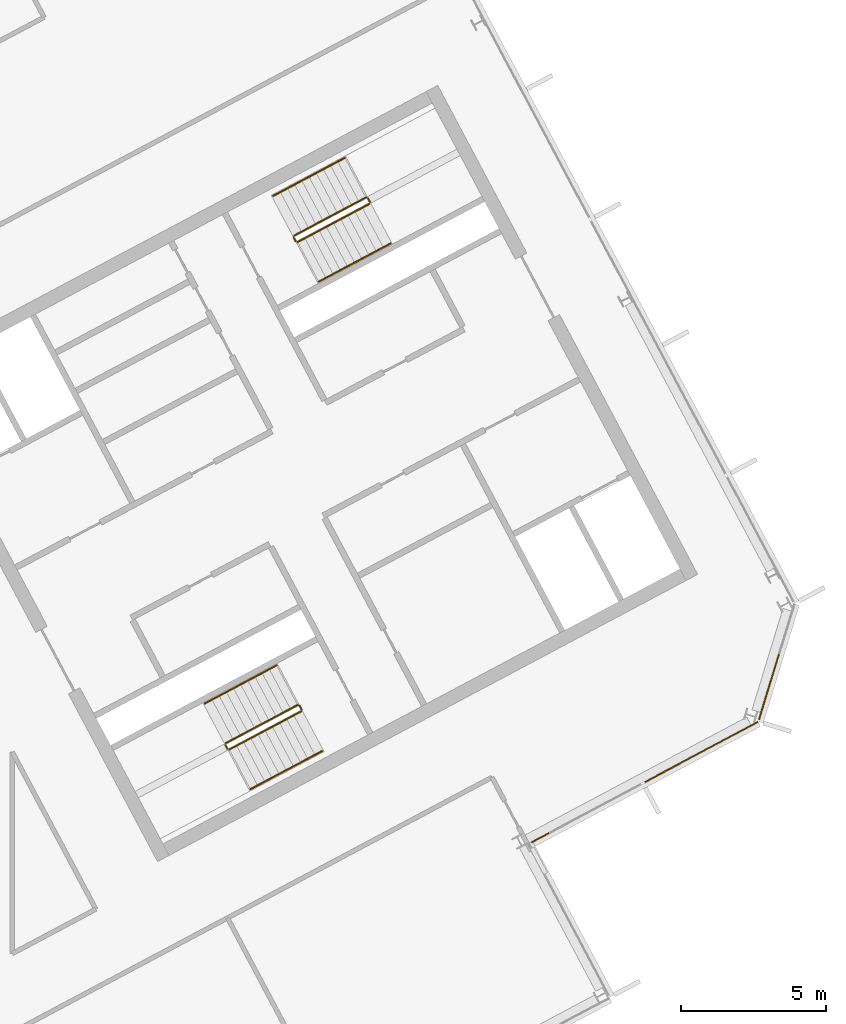
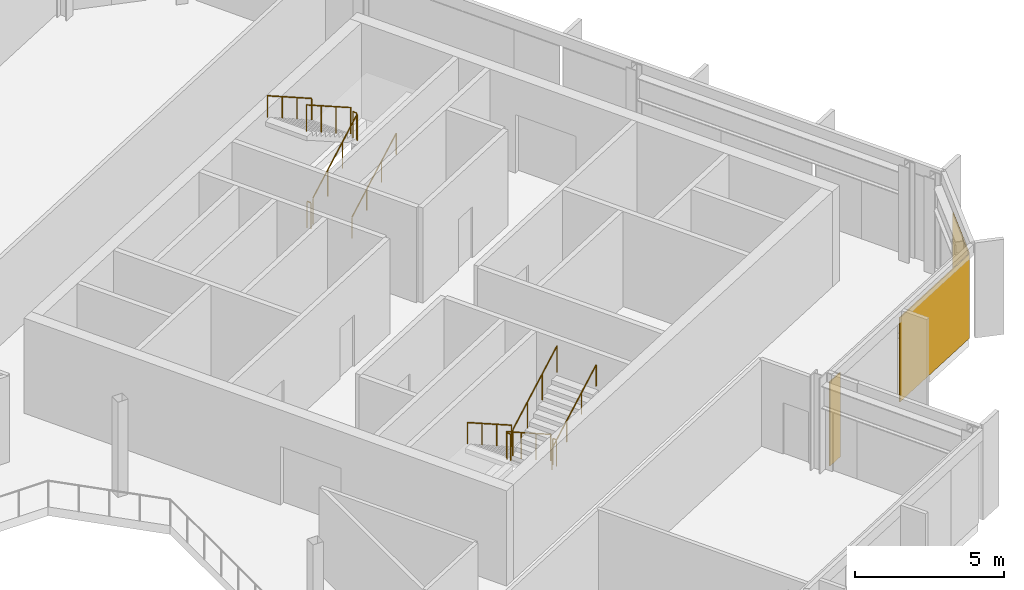
# One storey, part 25 of 26: 12 railings, 3 coverings, 2 elements without a shape of their own.
"""IFC4 building model written with IfcOpenShell, lengths in metres."""

from ifc_helpers import new_model, si_unit, direction, frame, origin, origin_2d, place, context, subcontext, project, spatial, polyline, rectangle, outline, extrude, material, layer, layer_set, type_object, element, aggregate, save


model = new_model("IFC4")

# Units and contexts
model_context = context("Model", 3, precision=1e-05, world=origin(), true_north=direction((0.0, 1.0)))
body_context = subcontext(model_context, "Body", "Model", "MODEL_VIEW")
ifc_project = project(units=[si_unit("LENGTHUNIT", "METRE"), si_unit("AREAUNIT", "SQUARE_METRE"), si_unit("VOLUMEUNIT", "CUBIC_METRE"), si_unit("PLANEANGLEUNIT", "RADIAN"), si_unit("MASSUNIT", "GRAM", prefix="KILO")], contexts=[model_context])

# Site, building, storey
site_placement = place(None, origin())
site = spatial("IfcSite", under=ifc_project, at=site_placement, CompositionType="ELEMENT")
building_placement = place(site_placement, origin())
building = spatial("IfcBuilding", under=site, at=building_placement, Name="Cormorant Relay Tower", CompositionType="ELEMENT")
storey_placement = place(building_placement, frame((0.0, 0.0, 269.699951171875)))
storey = spatial("IfcBuildingStorey", under=building, at=storey_placement, Name="L60", CompositionType="ELEMENT", Elevation=269.699951171875)

# Curtain wall, coverings
ifc_material_1 = material(Name="Aluminium 6063-T6 anodised bronze", Category="aluminium")
ifc_layer_1 = layer(ifc_material_1, 0.199951171875)
ifc_layer_set_1 = layer_set([ifc_layer_1], Name="CW1 unitised bronze curtain wall with vertical fins")
curtain_wall_type = type_object("IfcCurtainWallType", Name="CW1 unitised bronze curtain wall with vertical fins", PredefinedType="NOTDEFINED", material=ifc_layer_set_1)
curtain_wall_1_placement = place(storey_placement, origin())
curtain_wall_1 = element("IfcCurtainWall", 1, at=curtain_wall_1_placement, inside=storey, type_object=curtain_wall_type, Name="CW1 curtain wall 4", PredefinedType="NOTDEFINED")
ifc_material_2 = material(Name="Pale bronze anodised aluminium insulated panel", Category="aluminium")
ifc_layer_2 = layer(ifc_material_2, 0.0400390625)
ifc_layer_set_2 = layer_set([ifc_layer_2], Name="CW1 pale bronze insulated panel 40")
covering_type = type_object("IfcCoveringType", Name="CW1 pale bronze insulated panel 40", PredefinedType="CLADDING", material=ifc_layer_set_2)
covering_1_placement = place(storey_placement, frame((32.204345703125, 0.1123046875, 0.0), z_axis=(0.0, 0.0, 1.0), x_axis=(0.882947592859, 0.469471562786, 0.0)))
covering_1 = element("IfcCovering", 2, at=covering_1_placement, type_object=covering_type, Name="CW1 panel S00", PredefinedType="CLADDING", context=body_context, shape_type="SweptSolid", body=[
    extrude(rectangle(XDim=0.675048828125, YDim=0.0400390625, at=origin_2d()), origin(), (0.0, 0.0, 1.0), 3.449951171875),
])
covering_2_placement = place(storey_placement, frame((37.76708984375, 3.06982421875, 0.0), z_axis=(0.0, 0.0, 1.0), x_axis=(0.882947592859, 0.469471562786, 0.0)))
covering_2 = element("IfcCovering", 3, at=covering_2_placement, type_object=covering_type, Name="CW1 panel S02", PredefinedType="CLADDING", context=body_context, shape_type="SweptSolid", body=[
    extrude(rectangle(XDim=4.425048828125, YDim=0.0400390625, at=origin_2d()), origin(), (0.0, 0.0, 1.0), 3.449951171875),
])
aggregate(curtain_wall_1, [covering_1, covering_2])

# Curtain wall, covering
curtain_wall_2_placement = place(storey_placement, origin())
curtain_wall_2 = element("IfcCurtainWall", 4, at=curtain_wall_2_placement, inside=storey, type_object=curtain_wall_type, Name="CW1 curtain wall 5", PredefinedType="NOTDEFINED")
covering_3_placement = place(storey_placement, frame((40.098388671875, 5.32421875, 0.0), z_axis=(0.0, 0.0, 1.0), x_axis=(0.292371704723, 0.956304755963, 0.0)))
covering_3 = element("IfcCovering", 5, at=covering_3_placement, type_object=covering_type, Name="CW1 panel S00", PredefinedType="CLADDING", context=body_context, shape_type="SweptSolid", body=[
    extrude(rectangle(XDim=2.36767578125, YDim=0.0400390625, at=origin_2d()), origin(), (0.0, 0.0, 1.0), 3.449951171875),
])
aggregate(curtain_wall_2, [covering_3])

# Railings
ifc_material_3 = material(Name="Steel ASTM A572 Grade 50 (Fy 345 MPa)", Category="steel")
railing_type_1 = type_object("IfcRailingType", Name="Stair guard 1100", PredefinedType="GUARDRAIL", material=ifc_material_3)
railing_1_placement = place(storey_placement, frame((23.83837890625, 4.6904296875, 0.17724609375)))
element("IfcRailing", 6, at=railing_1_placement, inside=storey, type_object=railing_type_1, Name="L60 B1 stair guard 1", PredefinedType="GUARDRAIL", context=body_context, shape_type="SweptSolid", body=[
    extrude(outline(polyline([(0.022216796875, 0.00927734375), (0.00927734375, 0.022216796875), (-0.00927734375, 0.022216796875), (-0.022216796875, 0.00927734375), (-0.022216796875, -0.00927734375), (-0.00927734375, -0.022216796875), (0.00927734375, -0.022216796875), (0.022216796875, -0.00927734375), (0.022216796875, 0.00927734375)])), frame((0.0, 0.0, 1.076171875), z_axis=(-0.746033882577, -0.396627473466, 0.534901947407), x_axis=(0.469429322983, -0.882970050864, 0.0)), (0.0, 0.0, 1.0), 3.31396484375),
    extrude(outline(polyline([(0.019287109375, 0.008056640625), (0.008056640625, 0.019287109375), (-0.008056640625, 0.019287109375), (-0.019287109375, 0.008056640625), (-0.019287109375, -0.008056640625), (-0.008056640625, -0.019287109375), (0.008056640625, -0.019287109375), (0.019287109375, -0.008056640625), (0.019287109375, 0.008056640625)])), origin(), (0.0, 0.0, 1.0), 1.052001953125),
    extrude(outline(polyline([(0.019287109375, 0.008056640625), (0.008056640625, 0.019287109375), (-0.008056640625, 0.019287109375), (-0.019287109375, 0.008056640625), (-0.019287109375, -0.008056640625), (-0.008056640625, -0.019287109375), (0.008056640625, -0.019287109375), (0.019287109375, -0.008056640625), (0.019287109375, 0.008056640625)])), frame((-0.82421875, -0.438232421875, 0.5908203125)), (0.0, 0.0, 1.0), 1.052001953125),
    extrude(outline(polyline([(0.019287109375, 0.008056640625), (0.008056640625, 0.019287109375), (-0.008056640625, 0.019287109375), (-0.019287109375, 0.008056640625), (-0.019287109375, -0.008056640625), (-0.008056640625, -0.019287109375), (0.008056640625, -0.019287109375), (0.019287109375, -0.008056640625), (0.019287109375, 0.008056640625)])), frame((-1.648193359375, -0.876220703125, 1.181884765625)), (0.0, 0.0, 1.0), 1.052001953125),
    extrude(outline(polyline([(0.019287109375, 0.008056640625), (0.008056640625, 0.019287109375), (-0.008056640625, 0.019287109375), (-0.019287109375, 0.008056640625), (-0.019287109375, -0.008056640625), (-0.008056640625, -0.019287109375), (0.008056640625, -0.019287109375), (0.019287109375, -0.008056640625), (0.019287109375, 0.008056640625)])), frame((-2.472412109375, -1.314453125, 1.772705078125)), (0.0, 0.0, 1.0), 1.052001953125),
])
railing_2_placement = place(storey_placement, frame((21.345458984375, 3.308349609375, 1.949951171875)))
element("IfcRailing", 7, at=railing_2_placement, inside=storey, type_object=railing_type_1, Name="L60 B1 stair guard 2", PredefinedType="GUARDRAIL", context=body_context, shape_type="SweptSolid", body=[
    extrude(outline(polyline([(0.022216796875, 0.00927734375), (0.00927734375, 0.022216796875), (-0.00927734375, 0.022216796875), (-0.022216796875, 0.00927734375), (-0.022216796875, -0.00927734375), (-0.00927734375, -0.022216796875), (0.00927734375, -0.022216796875), (0.022216796875, -0.00927734375), (0.022216796875, 0.00927734375)])), frame((0.0, 0.0, 1.076171875), z_axis=(0.46856034887, -0.8834314911, 0.0), x_axis=(0.8834314911, 0.46856034887, 0.0)), (0.0, 0.0, 1.0), 0.150146484375),
    extrude(outline(polyline([(0.019287109375, 0.008056640625), (0.008056640625, 0.019287109375), (-0.008056640625, 0.019287109375), (-0.019287109375, 0.008056640625), (-0.019287109375, -0.008056640625), (-0.008056640625, -0.019287109375), (0.008056640625, -0.019287109375), (0.019287109375, -0.008056640625), (0.019287109375, 0.008056640625)])), origin(), (0.0, 0.0, 1.0), 1.052001953125),
    extrude(outline(polyline([(0.019287109375, 0.008056640625), (0.008056640625, 0.019287109375), (-0.008056640625, 0.019287109375), (-0.019287109375, 0.008056640625), (-0.019287109375, -0.008056640625), (-0.008056640625, -0.019287109375), (0.008056640625, -0.019287109375), (0.019287109375, -0.008056640625), (0.019287109375, 0.008056640625)])), frame((0.0703125, -0.132568359375, 0.0)), (0.0, 0.0, 1.0), 1.052001953125),
])
railing_3_placement = place(storey_placement, frame((21.4833984375, 3.1552734375, 2.12744140625)))
element("IfcRailing", 8, at=railing_3_placement, inside=storey, type_object=railing_type_1, Name="L60 B1 stair guard 3", PredefinedType="GUARDRAIL", context=body_context, shape_type="SweptSolid", body=[
    extrude(outline(polyline([(0.022216796875, 0.00927734375), (0.00927734375, 0.022216796875), (-0.00927734375, 0.022216796875), (-0.022216796875, 0.00927734375), (-0.022216796875, -0.00927734375), (-0.00927734375, -0.022216796875), (0.00927734375, -0.022216796875), (0.022216796875, -0.00927734375), (0.022216796875, 0.00927734375)])), frame((0.0, 0.0, 1.076171875), z_axis=(0.746001213114, 0.396649272309, 0.534931345884), x_axis=(-0.469465464807, 0.882950835185, 0.0)), (0.0, 0.0, 1.0), 3.31396484375),
    extrude(outline(polyline([(0.019287109375, 0.008056640625), (0.008056640625, 0.019287109375), (-0.008056640625, 0.019287109375), (-0.019287109375, 0.008056640625), (-0.019287109375, -0.008056640625), (-0.008056640625, -0.019287109375), (0.008056640625, -0.019287109375), (0.019287109375, -0.008056640625), (0.019287109375, 0.008056640625)])), origin(), (0.0, 0.0, 1.0), 1.052001953125),
    extrude(outline(polyline([(0.019287109375, 0.008056640625), (0.008056640625, 0.019287109375), (-0.008056640625, 0.019287109375), (-0.019287109375, 0.008056640625), (-0.019287109375, -0.008056640625), (-0.008056640625, -0.019287109375), (0.008056640625, -0.019287109375), (0.019287109375, -0.008056640625), (0.019287109375, 0.008056640625)])), frame((0.823974609375, 0.438232421875, 0.5908203125)), (0.0, 0.0, 1.0), 1.052001953125),
    extrude(outline(polyline([(0.019287109375, 0.008056640625), (0.008056640625, 0.019287109375), (-0.008056640625, 0.019287109375), (-0.019287109375, 0.008056640625), (-0.019287109375, -0.008056640625), (-0.008056640625, -0.019287109375), (0.008056640625, -0.019287109375), (0.019287109375, -0.008056640625), (0.019287109375, 0.008056640625)])), frame((1.648193359375, 0.876220703125, 1.181884765625)), (0.0, 0.0, 1.0), 1.052001953125),
    extrude(outline(polyline([(0.019287109375, 0.008056640625), (0.008056640625, 0.019287109375), (-0.008056640625, 0.019287109375), (-0.019287109375, 0.008056640625), (-0.019287109375, -0.008056640625), (-0.008056640625, -0.019287109375), (0.008056640625, -0.019287109375), (0.019287109375, -0.008056640625), (0.019287109375, 0.008056640625)])), frame((2.47216796875, 1.314453125, 1.772705078125)), (0.0, 0.0, 1.0), 1.052001953125),
])
railing_4_placement = place(storey_placement, frame((23.906005859375, 4.669677734375, 0.0)))
element("IfcRailing", 9, at=railing_4_placement, inside=storey, type_object=railing_type_1, Name="L60 B1 stair guard 4", PredefinedType="GUARDRAIL", context=body_context, shape_type="SweptSolid", body=[
    extrude(outline(polyline([(0.022216796875, 0.00927734375), (0.00927734375, 0.022216796875), (-0.00927734375, 0.022216796875), (-0.022216796875, 0.00927734375), (-0.022216796875, -0.00927734375), (-0.00927734375, -0.022216796875), (0.00927734375, -0.022216796875), (0.022216796875, -0.00927734375), (0.022216796875, 0.00927734375)])), frame((0.0, 0.0, 1.076171875), z_axis=(0.469234640946, -0.883073525669, 0.0), x_axis=(0.883073525669, 0.469234640946, 0.0)), (0.0, 0.0, 1.0), 0.14990234375),
    extrude(outline(polyline([(0.019287109375, 0.008056640625), (0.008056640625, 0.019287109375), (-0.008056640625, 0.019287109375), (-0.019287109375, 0.008056640625), (-0.019287109375, -0.008056640625), (-0.008056640625, -0.019287109375), (0.008056640625, -0.019287109375), (0.019287109375, -0.008056640625), (0.019287109375, 0.008056640625)])), origin(), (0.0, 0.0, 1.0), 1.052001953125),
    extrude(outline(polyline([(0.019287109375, 0.008056640625), (0.008056640625, 0.019287109375), (-0.008056640625, 0.019287109375), (-0.019287109375, 0.008056640625), (-0.019287109375, -0.008056640625), (-0.008056640625, -0.019287109375), (0.008056640625, -0.019287109375), (0.019287109375, -0.008056640625), (0.019287109375, 0.008056640625)])), frame((0.0703125, -0.13232421875, 0.0)), (0.0, 0.0, 1.0), 1.052001953125),
])
railing_5_placement = place(storey_placement, frame((23.8408203125, 20.6611328125, 0.17724609375)))
element("IfcRailing", 10, at=railing_5_placement, inside=storey, type_object=railing_type_1, Name="L60 B2 stair guard 1", PredefinedType="GUARDRAIL", context=body_context, shape_type="SweptSolid", body=[
    extrude(outline(polyline([(0.022216796875, 0.00927734375), (0.00927734375, 0.022216796875), (-0.00927734375, 0.022216796875), (-0.022216796875, 0.00927734375), (-0.022216796875, -0.00927734375), (-0.00927734375, -0.022216796875), (0.00927734375, -0.022216796875), (0.022216796875, -0.00927734375), (0.022216796875, 0.00927734375)])), frame((0.0, 0.0, 1.076171875), z_axis=(0.746033882577, 0.396627473466, 0.534901947407), x_axis=(-0.469429322983, 0.882970050864, 0.0)), (0.0, 0.0, 1.0), 3.31396484375),
    extrude(outline(polyline([(0.019287109375, 0.008056640625), (0.008056640625, 0.019287109375), (-0.008056640625, 0.019287109375), (-0.019287109375, 0.008056640625), (-0.019287109375, -0.008056640625), (-0.008056640625, -0.019287109375), (0.008056640625, -0.019287109375), (0.019287109375, -0.008056640625), (0.019287109375, 0.008056640625)])), origin(), (0.0, 0.0, 1.0), 1.052001953125),
    extrude(outline(polyline([(0.019287109375, 0.008056640625), (0.008056640625, 0.019287109375), (-0.008056640625, 0.019287109375), (-0.019287109375, 0.008056640625), (-0.019287109375, -0.008056640625), (-0.008056640625, -0.019287109375), (0.008056640625, -0.019287109375), (0.019287109375, -0.008056640625), (0.019287109375, 0.008056640625)])), frame((0.82421875, 0.438232421875, 0.5908203125)), (0.0, 0.0, 1.0), 1.052001953125),
    extrude(outline(polyline([(0.019287109375, 0.008056640625), (0.008056640625, 0.019287109375), (-0.008056640625, 0.019287109375), (-0.019287109375, 0.008056640625), (-0.019287109375, -0.008056640625), (-0.008056640625, -0.019287109375), (0.008056640625, -0.019287109375), (0.019287109375, -0.008056640625), (0.019287109375, 0.008056640625)])), frame((1.648193359375, 0.876220703125, 1.181884765625)), (0.0, 0.0, 1.0), 1.052001953125),
    extrude(outline(polyline([(0.019287109375, 0.008056640625), (0.008056640625, 0.019287109375), (-0.008056640625, 0.019287109375), (-0.019287109375, 0.008056640625), (-0.019287109375, -0.008056640625), (-0.008056640625, -0.019287109375), (0.008056640625, -0.019287109375), (0.019287109375, -0.008056640625), (0.019287109375, 0.008056640625)])), frame((2.472412109375, 1.314453125, 1.772705078125)), (0.0, 0.0, 1.0), 1.052001953125),
])
railing_6_placement = place(storey_placement, frame((26.333740234375, 22.043212890625, 1.949951171875)))
element("IfcRailing", 11, at=railing_6_placement, inside=storey, type_object=railing_type_1, Name="L60 B2 stair guard 2", PredefinedType="GUARDRAIL", context=body_context, shape_type="SweptSolid", body=[
    extrude(outline(polyline([(0.022216796875, 0.00927734375), (0.00927734375, 0.022216796875), (-0.00927734375, 0.022216796875), (-0.022216796875, 0.00927734375), (-0.022216796875, -0.00927734375), (-0.00927734375, -0.022216796875), (0.00927734375, -0.022216796875), (0.022216796875, -0.00927734375), (0.022216796875, 0.00927734375)])), frame((0.0, 0.0, 1.076171875), z_axis=(-0.469234640946, 0.883073525669, 0.0), x_axis=(-0.883073525669, -0.469234640946, 0.0)), (0.0, 0.0, 1.0), 0.14990234375),
    extrude(outline(polyline([(0.019287109375, 0.008056640625), (0.008056640625, 0.019287109375), (-0.008056640625, 0.019287109375), (-0.019287109375, 0.008056640625), (-0.019287109375, -0.008056640625), (-0.008056640625, -0.019287109375), (0.008056640625, -0.019287109375), (0.019287109375, -0.008056640625), (0.019287109375, 0.008056640625)])), origin(), (0.0, 0.0, 1.0), 1.052001953125),
    extrude(outline(polyline([(0.019287109375, 0.008056640625), (0.008056640625, 0.019287109375), (-0.008056640625, 0.019287109375), (-0.019287109375, 0.008056640625), (-0.019287109375, -0.008056640625), (-0.008056640625, -0.019287109375), (0.008056640625, -0.019287109375), (0.019287109375, -0.008056640625), (0.019287109375, 0.008056640625)])), frame((-0.0703125, 0.13232421875, 0.0)), (0.0, 0.0, 1.0), 1.052001953125),
])
railing_7_placement = place(storey_placement, frame((26.19580078125, 22.1962890625, 2.12744140625)))
element("IfcRailing", 12, at=railing_7_placement, inside=storey, type_object=railing_type_1, Name="L60 B2 stair guard 3", PredefinedType="GUARDRAIL", context=body_context, shape_type="SweptSolid", body=[
    extrude(outline(polyline([(0.022216796875, 0.00927734375), (0.00927734375, 0.022216796875), (-0.00927734375, 0.022216796875), (-0.022216796875, 0.00927734375), (-0.022216796875, -0.00927734375), (-0.00927734375, -0.022216796875), (0.00927734375, -0.022216796875), (0.022216796875, -0.00927734375), (0.022216796875, 0.00927734375)])), frame((0.0, 0.0, 1.076171875), z_axis=(-0.746033882577, -0.396627473466, 0.534901947407), x_axis=(0.469429322983, -0.882970050864, 0.0)), (0.0, 0.0, 1.0), 3.31396484375),
    extrude(outline(polyline([(0.019287109375, 0.008056640625), (0.008056640625, 0.019287109375), (-0.008056640625, 0.019287109375), (-0.019287109375, 0.008056640625), (-0.019287109375, -0.008056640625), (-0.008056640625, -0.019287109375), (0.008056640625, -0.019287109375), (0.019287109375, -0.008056640625), (0.019287109375, 0.008056640625)])), origin(), (0.0, 0.0, 1.0), 1.052001953125),
    extrude(outline(polyline([(0.019287109375, 0.008056640625), (0.008056640625, 0.019287109375), (-0.008056640625, 0.019287109375), (-0.019287109375, 0.008056640625), (-0.019287109375, -0.008056640625), (-0.008056640625, -0.019287109375), (0.008056640625, -0.019287109375), (0.019287109375, -0.008056640625), (0.019287109375, 0.008056640625)])), frame((-0.82421875, -0.438232421875, 0.5908203125)), (0.0, 0.0, 1.0), 1.052001953125),
    extrude(outline(polyline([(0.019287109375, 0.008056640625), (0.008056640625, 0.019287109375), (-0.008056640625, 0.019287109375), (-0.019287109375, 0.008056640625), (-0.019287109375, -0.008056640625), (-0.008056640625, -0.019287109375), (0.008056640625, -0.019287109375), (0.019287109375, -0.008056640625), (0.019287109375, 0.008056640625)])), frame((-1.648193359375, -0.876220703125, 1.181884765625)), (0.0, 0.0, 1.0), 1.052001953125),
    extrude(outline(polyline([(0.019287109375, 0.008056640625), (0.008056640625, 0.019287109375), (-0.008056640625, 0.019287109375), (-0.019287109375, 0.008056640625), (-0.019287109375, -0.008056640625), (-0.008056640625, -0.019287109375), (0.008056640625, -0.019287109375), (0.019287109375, -0.008056640625), (0.019287109375, 0.008056640625)])), frame((-2.472412109375, -1.314453125, 1.772705078125)), (0.0, 0.0, 1.0), 1.052001953125),
])
railing_8_placement = place(storey_placement, frame((23.773193359375, 20.681640625, 0.0)))
element("IfcRailing", 13, at=railing_8_placement, inside=storey, type_object=railing_type_1, Name="L60 B2 stair guard 4", PredefinedType="GUARDRAIL", context=body_context, shape_type="SweptSolid", body=[
    extrude(outline(polyline([(0.022216796875, 0.00927734375), (0.00927734375, 0.022216796875), (-0.00927734375, 0.022216796875), (-0.022216796875, 0.00927734375), (-0.022216796875, -0.00927734375), (-0.00927734375, -0.022216796875), (0.00927734375, -0.022216796875), (0.022216796875, -0.00927734375), (0.022216796875, 0.00927734375)])), frame((0.0, 0.0, 1.076171875), z_axis=(-0.46856034887, 0.8834314911, 0.0), x_axis=(-0.8834314911, -0.46856034887, 0.0)), (0.0, 0.0, 1.0), 0.150146484375),
    extrude(outline(polyline([(0.019287109375, 0.008056640625), (0.008056640625, 0.019287109375), (-0.008056640625, 0.019287109375), (-0.019287109375, 0.008056640625), (-0.019287109375, -0.008056640625), (-0.008056640625, -0.019287109375), (0.008056640625, -0.019287109375), (0.019287109375, -0.008056640625), (0.019287109375, 0.008056640625)])), origin(), (0.0, 0.0, 1.0), 1.052001953125),
    extrude(outline(polyline([(0.019287109375, 0.008056640625), (0.008056640625, 0.019287109375), (-0.008056640625, 0.019287109375), (-0.019287109375, 0.008056640625), (-0.019287109375, -0.008056640625), (-0.008056640625, -0.019287109375), (0.008056640625, -0.019287109375), (0.019287109375, -0.008056640625), (0.019287109375, 0.008056640625)])), frame((-0.0703125, 0.132568359375, 0.0)), (0.0, 0.0, 1.0), 1.052001953125),
])
ifc_material_4 = material(Name="Steel ASTM A572 Grade 50 (Fy 345 MPa)", Category="steel")
railing_type_2 = type_object("IfcRailingType", Name="Stair handrail 900", PredefinedType="HANDRAIL", material=ifc_material_4)
railing_9_placement = place(storey_placement, frame((23.110595703125, 6.05908203125, 0.17724609375)))
element("IfcRailing", 14, at=railing_9_placement, inside=storey, type_object=railing_type_2, Name="L60 B1 stair handrail 1", PredefinedType="HANDRAIL", context=body_context, shape_type="SweptSolid", body=[
    extrude(outline(polyline([(0.022216796875, 0.00927734375), (0.00927734375, 0.022216796875), (-0.00927734375, 0.022216796875), (-0.022216796875, 0.00927734375), (-0.022216796875, -0.00927734375), (-0.00927734375, -0.022216796875), (0.00927734375, -0.022216796875), (0.022216796875, -0.00927734375), (0.022216796875, 0.00927734375)])), frame((0.0, 0.0, 0.8759765625), z_axis=(-0.745979412481, -0.396711350603, 0.534915713414), x_axis=(0.469533439143, -0.882914689835, 0.0)), (0.0, 0.0, 1.0), 3.31396484375),
    extrude(outline(polyline([(0.019287109375, 0.008056640625), (0.008056640625, 0.019287109375), (-0.008056640625, 0.019287109375), (-0.019287109375, 0.008056640625), (-0.019287109375, -0.008056640625), (-0.008056640625, -0.019287109375), (0.008056640625, -0.019287109375), (0.019287109375, -0.008056640625), (0.019287109375, 0.008056640625)])), origin(), (0.0, 0.0, 1.0), 0.851806640625),
    extrude(outline(polyline([(0.019287109375, 0.008056640625), (0.008056640625, 0.019287109375), (-0.008056640625, 0.019287109375), (-0.019287109375, 0.008056640625), (-0.019287109375, -0.008056640625), (-0.008056640625, -0.019287109375), (0.008056640625, -0.019287109375), (0.019287109375, -0.008056640625), (0.019287109375, 0.008056640625)])), frame((-0.823974609375, -0.438232421875, 0.5908203125)), (0.0, 0.0, 1.0), 0.851806640625),
    extrude(outline(polyline([(0.019287109375, 0.008056640625), (0.008056640625, 0.019287109375), (-0.008056640625, 0.019287109375), (-0.019287109375, 0.008056640625), (-0.019287109375, -0.008056640625), (-0.008056640625, -0.019287109375), (0.008056640625, -0.019287109375), (0.019287109375, -0.008056640625), (0.019287109375, 0.008056640625)])), frame((-1.648193359375, -0.87646484375, 1.181884765625)), (0.0, 0.0, 1.0), 0.851806640625),
    extrude(outline(polyline([(0.019287109375, 0.008056640625), (0.008056640625, 0.019287109375), (-0.008056640625, 0.019287109375), (-0.019287109375, 0.008056640625), (-0.019287109375, -0.008056640625), (-0.008056640625, -0.019287109375), (0.008056640625, -0.019287109375), (0.019287109375, -0.008056640625), (0.019287109375, 0.008056640625)])), frame((-2.47216796875, -1.314697265625, 1.772705078125)), (0.0, 0.0, 1.0), 0.851806640625),
])
railing_10_placement = place(storey_placement, frame((22.211181640625, 1.78662109375, 2.12744140625)))
element("IfcRailing", 15, at=railing_10_placement, inside=storey, type_object=railing_type_2, Name="L60 B1 stair handrail 2", PredefinedType="HANDRAIL", context=body_context, shape_type="SweptSolid", body=[
    extrude(outline(polyline([(0.022216796875, 0.00927734375), (0.00927734375, 0.022216796875), (-0.00927734375, 0.022216796875), (-0.022216796875, 0.00927734375), (-0.022216796875, -0.00927734375), (-0.00927734375, -0.022216796875), (0.00927734375, -0.022216796875), (0.022216796875, -0.00927734375), (0.022216796875, 0.00927734375)])), frame((0.0, 0.0, 0.8759765625), z_axis=(0.746001213114, 0.396649272309, 0.534931345884), x_axis=(-0.469465464807, 0.882950835185, 0.0)), (0.0, 0.0, 1.0), 3.31396484375),
    extrude(outline(polyline([(0.019287109375, 0.008056640625), (0.008056640625, 0.019287109375), (-0.008056640625, 0.019287109375), (-0.019287109375, 0.008056640625), (-0.019287109375, -0.008056640625), (-0.008056640625, -0.019287109375), (0.008056640625, -0.019287109375), (0.019287109375, -0.008056640625), (0.019287109375, 0.008056640625)])), origin(), (0.0, 0.0, 1.0), 0.851806640625),
    extrude(outline(polyline([(0.019287109375, 0.008056640625), (0.008056640625, 0.019287109375), (-0.008056640625, 0.019287109375), (-0.019287109375, 0.008056640625), (-0.019287109375, -0.008056640625), (-0.008056640625, -0.019287109375), (0.008056640625, -0.019287109375), (0.019287109375, -0.008056640625), (0.019287109375, 0.008056640625)])), frame((0.823974609375, 0.438232421875, 0.5908203125)), (0.0, 0.0, 1.0), 0.851806640625),
    extrude(outline(polyline([(0.019287109375, 0.008056640625), (0.008056640625, 0.019287109375), (-0.008056640625, 0.019287109375), (-0.019287109375, 0.008056640625), (-0.019287109375, -0.008056640625), (-0.008056640625, -0.019287109375), (0.008056640625, -0.019287109375), (0.019287109375, -0.008056640625), (0.019287109375, 0.008056640625)])), frame((1.648193359375, 0.876220703125, 1.181884765625)), (0.0, 0.0, 1.0), 0.851806640625),
    extrude(outline(polyline([(0.019287109375, 0.008056640625), (0.008056640625, 0.019287109375), (-0.008056640625, 0.019287109375), (-0.019287109375, 0.008056640625), (-0.019287109375, -0.008056640625), (-0.008056640625, -0.019287109375), (0.008056640625, -0.019287109375), (0.019287109375, -0.008056640625), (0.019287109375, 0.008056640625)])), frame((2.47216796875, 1.314453125, 1.772705078125)), (0.0, 0.0, 1.0), 0.851806640625),
])
railing_11_placement = place(storey_placement, frame((24.568603515625, 19.29248046875, 0.17724609375)))
element("IfcRailing", 16, at=railing_11_placement, inside=storey, type_object=railing_type_2, Name="L60 B2 stair handrail 1", PredefinedType="HANDRAIL", context=body_context, shape_type="SweptSolid", body=[
    extrude(outline(polyline([(0.022216796875, 0.00927734375), (0.00927734375, 0.022216796875), (-0.00927734375, 0.022216796875), (-0.022216796875, 0.00927734375), (-0.022216796875, -0.00927734375), (-0.00927734375, -0.022216796875), (0.00927734375, -0.022216796875), (0.022216796875, -0.00927734375), (0.022216796875, 0.00927734375)])), frame((0.0, 0.0, 0.8759765625), z_axis=(0.746001213114, 0.396649272309, 0.534931345884), x_axis=(-0.469465464807, 0.882950835185, 0.0)), (0.0, 0.0, 1.0), 3.31396484375),
    extrude(outline(polyline([(0.019287109375, 0.008056640625), (0.008056640625, 0.019287109375), (-0.008056640625, 0.019287109375), (-0.019287109375, 0.008056640625), (-0.019287109375, -0.008056640625), (-0.008056640625, -0.019287109375), (0.008056640625, -0.019287109375), (0.019287109375, -0.008056640625), (0.019287109375, 0.008056640625)])), origin(), (0.0, 0.0, 1.0), 0.851806640625),
    extrude(outline(polyline([(0.019287109375, 0.008056640625), (0.008056640625, 0.019287109375), (-0.008056640625, 0.019287109375), (-0.019287109375, 0.008056640625), (-0.019287109375, -0.008056640625), (-0.008056640625, -0.019287109375), (0.008056640625, -0.019287109375), (0.019287109375, -0.008056640625), (0.019287109375, 0.008056640625)])), frame((0.823974609375, 0.438232421875, 0.5908203125)), (0.0, 0.0, 1.0), 0.851806640625),
    extrude(outline(polyline([(0.019287109375, 0.008056640625), (0.008056640625, 0.019287109375), (-0.008056640625, 0.019287109375), (-0.019287109375, 0.008056640625), (-0.019287109375, -0.008056640625), (-0.008056640625, -0.019287109375), (0.008056640625, -0.019287109375), (0.019287109375, -0.008056640625), (0.019287109375, 0.008056640625)])), frame((1.648193359375, 0.876220703125, 1.181884765625)), (0.0, 0.0, 1.0), 0.851806640625),
    extrude(outline(polyline([(0.019287109375, 0.008056640625), (0.008056640625, 0.019287109375), (-0.008056640625, 0.019287109375), (-0.019287109375, 0.008056640625), (-0.019287109375, -0.008056640625), (-0.008056640625, -0.019287109375), (0.008056640625, -0.019287109375), (0.019287109375, -0.008056640625), (0.019287109375, 0.008056640625)])), frame((2.47216796875, 1.314453125, 1.772705078125)), (0.0, 0.0, 1.0), 0.851806640625),
])
railing_12_placement = place(storey_placement, frame((25.468017578125, 23.56494140625, 2.12744140625)))
element("IfcRailing", 17, at=railing_12_placement, inside=storey, type_object=railing_type_2, Name="L60 B2 stair handrail 2", PredefinedType="HANDRAIL", context=body_context, shape_type="SweptSolid", body=[
    extrude(outline(polyline([(0.022216796875, 0.00927734375), (0.00927734375, 0.022216796875), (-0.00927734375, 0.022216796875), (-0.022216796875, 0.00927734375), (-0.022216796875, -0.00927734375), (-0.00927734375, -0.022216796875), (0.00927734375, -0.022216796875), (0.022216796875, -0.00927734375), (0.022216796875, 0.00927734375)])), frame((0.0, 0.0, 0.8759765625), z_axis=(-0.745979412481, -0.396711350603, 0.534915713414), x_axis=(0.469533439143, -0.882914689835, 0.0)), (0.0, 0.0, 1.0), 3.31396484375),
    extrude(outline(polyline([(0.019287109375, 0.008056640625), (0.008056640625, 0.019287109375), (-0.008056640625, 0.019287109375), (-0.019287109375, 0.008056640625), (-0.019287109375, -0.008056640625), (-0.008056640625, -0.019287109375), (0.008056640625, -0.019287109375), (0.019287109375, -0.008056640625), (0.019287109375, 0.008056640625)])), origin(), (0.0, 0.0, 1.0), 0.851806640625),
    extrude(outline(polyline([(0.019287109375, 0.008056640625), (0.008056640625, 0.019287109375), (-0.008056640625, 0.019287109375), (-0.019287109375, 0.008056640625), (-0.019287109375, -0.008056640625), (-0.008056640625, -0.019287109375), (0.008056640625, -0.019287109375), (0.019287109375, -0.008056640625), (0.019287109375, 0.008056640625)])), frame((-0.823974609375, -0.438232421875, 0.5908203125)), (0.0, 0.0, 1.0), 0.851806640625),
    extrude(outline(polyline([(0.019287109375, 0.008056640625), (0.008056640625, 0.019287109375), (-0.008056640625, 0.019287109375), (-0.019287109375, 0.008056640625), (-0.019287109375, -0.008056640625), (-0.008056640625, -0.019287109375), (0.008056640625, -0.019287109375), (0.019287109375, -0.008056640625), (0.019287109375, 0.008056640625)])), frame((-1.648193359375, -0.87646484375, 1.181884765625)), (0.0, 0.0, 1.0), 0.851806640625),
    extrude(outline(polyline([(0.019287109375, 0.008056640625), (0.008056640625, 0.019287109375), (-0.008056640625, 0.019287109375), (-0.019287109375, 0.008056640625), (-0.019287109375, -0.008056640625), (-0.008056640625, -0.019287109375), (0.008056640625, -0.019287109375), (0.019287109375, -0.008056640625), (0.019287109375, 0.008056640625)])), frame((-2.47216796875, -1.314697265625, 1.772705078125)), (0.0, 0.0, 1.0), 0.851806640625),
])

save(model, "model.ifc")
